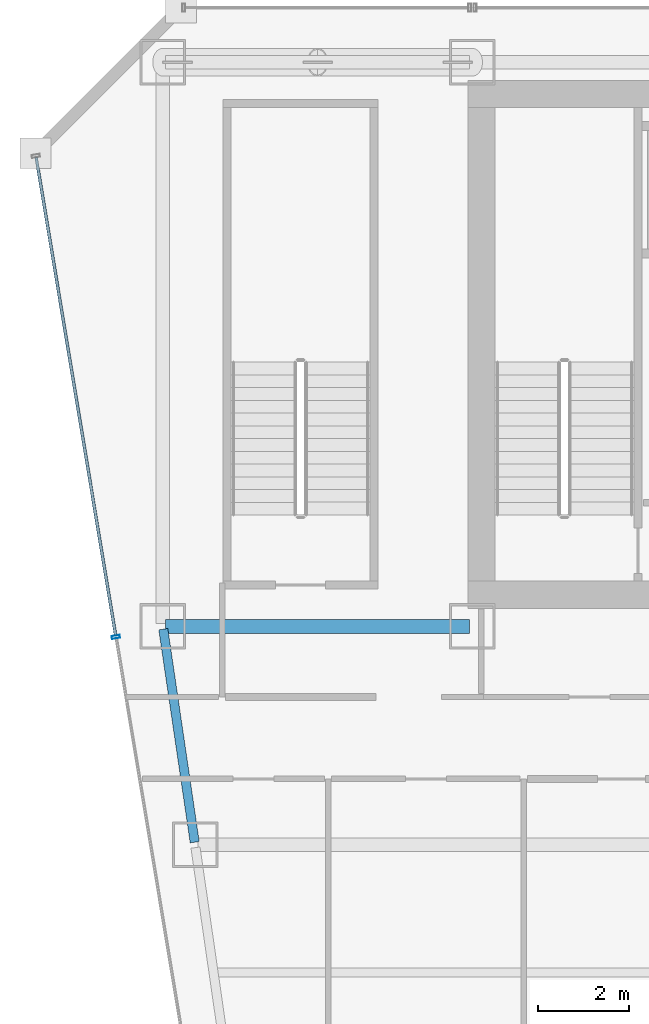
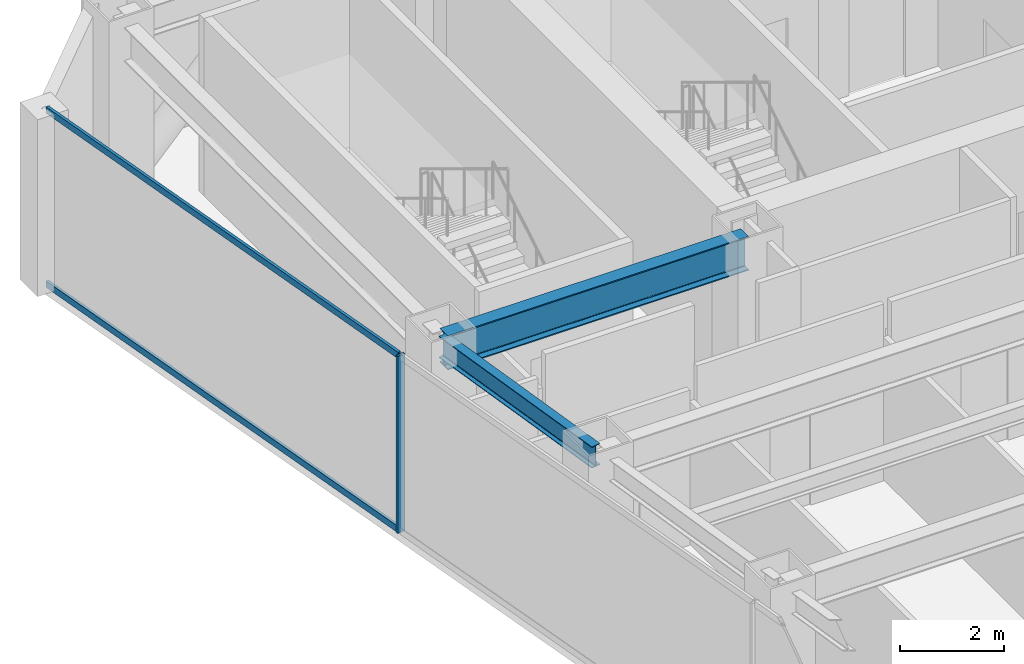
# One storey, part 20 of 37: 3 members, 2 beams, 1 element without a shape of its own.
"""IFC4 building model written with IfcOpenShell, lengths in metres."""

from ifc_helpers import new_model, si_unit, direction, frame, origin, origin_2d, place, context, subcontext, project, spatial, hollow_rectangle, i_section, extrude, material, material_profile, profile_set, type_object, element, aggregate, save


model = new_model("IFC4")

# Units and contexts
model_context = context("Model", 3, precision=1e-05, world=origin(), true_north=direction((0.0, 1.0)))
body_context = subcontext(model_context, "Body", "Model", "MODEL_VIEW")
ifc_project = project(units=[si_unit("LENGTHUNIT", "METRE"), si_unit("AREAUNIT", "SQUARE_METRE"), si_unit("VOLUMEUNIT", "CUBIC_METRE"), si_unit("PLANEANGLEUNIT", "RADIAN"), si_unit("MASSUNIT", "GRAM", prefix="KILO")], contexts=[model_context])

# Site, building, storey
site_placement = place(None, origin())
site = spatial("IfcSite", under=ifc_project, at=site_placement, CompositionType="ELEMENT")
building_placement = place(site_placement, origin())
building = spatial("IfcBuilding", under=site, at=building_placement, Name="Saevonmaru Cultural Tower", CompositionType="ELEMENT")
storey_placement = place(building_placement, frame((0.0, 0.0, 114.800048828125)))
storey = spatial("IfcBuildingStorey", under=building, at=storey_placement, Name="L24", CompositionType="ELEMENT", Elevation=114.800048828125)

# Beams
ifc_material_1 = material(Name="Steel SM420", Category="steel")
ifc_material_profile_1 = material_profile(ifc_material_1, i_section(OverallWidth=0.300048828125, OverallDepth=0.800048828125, WebThickness=0.013916015625, FlangeThickness=0.02587890625, FilletRadius=0.028076171875, at=origin_2d()), Name="H-800x300x14x26")
ifc_profile_set_1 = profile_set([ifc_material_profile_1], Name="Steel SM420")
beam_type_1 = type_object("IfcBeamType", Name="BM-G-H800", PredefinedType="BEAM", material=ifc_profile_set_1)
beam_1_placement = place(storey_placement, frame((6.860107421875, 42.39990234375, 3.75), z_axis=(1.0, 0.0, 0.0), x_axis=(0.0, 1.0, 0.0)))
element("IfcBeam", 1, at=beam_1_placement, inside=storey, type_object=beam_type_1, Name="L24 Core South Girder 1", PredefinedType="BEAM", context=body_context, shape_type="SweptSolid", body=[
    extrude(i_section(OverallWidth=0.300048828125, OverallDepth=0.800048828125, WebThickness=0.013916015625, FlangeThickness=0.02587890625, FilletRadius=0.028076171875, at=origin_2d()), origin(), (0.0, 0.0, 1.0), 6.679931640625),
])
ifc_material_2 = material(Name="Steel SM355", Category="steel")
ifc_material_profile_2 = material_profile(ifc_material_2, i_section(OverallWidth=0.199951171875, OverallDepth=0.5, WebThickness=0.010009765625, FlangeThickness=0.01611328125, FilletRadius=0.02001953125, at=origin_2d()), Name="H-500x200x10x16")
ifc_profile_set_2 = profile_set([ifc_material_profile_2], Name="Steel SM355")
beam_type_2 = type_object("IfcBeamType", Name="BM-SP-H500", PredefinedType="SPANDREL", material=ifc_profile_set_2)
beam_2_placement = place(storey_placement, frame((7.499267578125, 37.659423828125, 3.89990234375), z_axis=(-0.145912860028, 0.989297446312, 0.0), x_axis=(-0.989297446312, -0.145912860028, 0.0)))
element("IfcBeam", 2, at=beam_2_placement, inside=storey, type_object=beam_type_2, Name="L24 West Splayed Spandrel 5", PredefinedType="SPANDREL", context=body_context, shape_type="SweptSolid", body=[
    extrude(i_section(OverallWidth=0.199951171875, OverallDepth=0.5, WebThickness=0.010009765625, FlangeThickness=0.01611328125, FilletRadius=0.02001953125, at=origin_2d()), origin(), (0.0, 0.0, 1.0), 4.731689453125),
])

# Curtain wall, members
ifc_material_3 = material(Name="Satin Bronze Anodised Aluminium", Category="aluminium")
curtain_wall_type = type_object("IfcCurtainWallType", Name="CW-TYP-A", PredefinedType="NOTDEFINED", material=ifc_material_3)
curtain_wall_placement = place(storey_placement, origin())
curtain_wall = element("IfcCurtainWall", 3, at=curtain_wall_placement, inside=storey, type_object=curtain_wall_type, Name="L24 Unitised Curtain Wall E12", PredefinedType="NOTDEFINED")
ifc_material_profile_3 = material_profile(ifc_material_3, hollow_rectangle(XDim=0.06494140625, YDim=0.179931640625, WallThickness=0.00390625, at=origin_2d()), Name="ALU-MULL-180x65x4")
ifc_profile_set_3 = profile_set([ifc_material_profile_3], Name="Satin Bronze Anodised Aluminium")
member_type_1 = type_object("IfcMemberType", Name="ML-CW-180x65", PredefinedType="MULLION", material=ifc_profile_set_3)
member_1_placement = place(storey_placement, frame((5.76708984375, 42.17041015625, 0.0), z_axis=(0.0, 0.0, 1.0), x_axis=(0.163998702345, -0.986460554523, 0.0)))
member_1 = element("IfcMember", 4, at=member_1_placement, type_object=member_type_1, Name="CW-TW-L24-E12 mullion 2", PredefinedType="MULLION", context=body_context, shape_type="SweptSolid", body=[
    extrude(hollow_rectangle(XDim=0.06494140625, YDim=0.179931640625, WallThickness=0.00390625, at=origin_2d()), origin(), (0.0, 0.0, 1.0), 4.14990234375),
])
ifc_material_profile_4 = material_profile(ifc_material_3, hollow_rectangle(XDim=0.06494140625, YDim=0.14990234375, WallThickness=0.00390625, at=origin_2d()), Name="ALU-TRAN-150x65x4")
ifc_profile_set_4 = profile_set([ifc_material_profile_4], Name="Satin Bronze Anodised Aluminium")
member_type_2 = type_object("IfcMemberType", Name="TR-CW-150x65", PredefinedType="USERDEFINED", material=ifc_profile_set_4)
member_2_placement = place(storey_placement, frame((4.01513671875, 52.708740234375, 0.032470703125), z_axis=(0.163990079074, -0.9864619881, 0.0), x_axis=(0.9864619881, 0.163990079074, 0.0)))
member_2 = element("IfcMember", 5, at=member_2_placement, type_object=member_type_2, Name="CW-TW-L24-E12 transom 1.1", ObjectType="TRANSOM", PredefinedType="USERDEFINED", context=body_context, shape_type="SweptSolid", body=[
    extrude(hollow_rectangle(XDim=0.06494140625, YDim=0.14990234375, WallThickness=0.00390625, at=origin_2d()), origin(), (0.0, 0.0, 1.0), 10.650634765625),
])
member_3_placement = place(storey_placement, frame((4.01513671875, 52.708740234375, 4.117431640625), z_axis=(0.163990079074, -0.9864619881, 0.0), x_axis=(0.9864619881, 0.163990079074, 0.0)))
member_3 = element("IfcMember", 6, at=member_3_placement, type_object=member_type_2, Name="CW-TW-L24-E12 transom 1.2", ObjectType="TRANSOM", PredefinedType="USERDEFINED", context=body_context, shape_type="SweptSolid", body=[
    extrude(hollow_rectangle(XDim=0.06494140625, YDim=0.14990234375, WallThickness=0.00390625, at=origin_2d()), origin(), (0.0, 0.0, 1.0), 10.650634765625),
])
aggregate(curtain_wall, [member_1, member_2, member_3])

save(model, "model.ifc")
